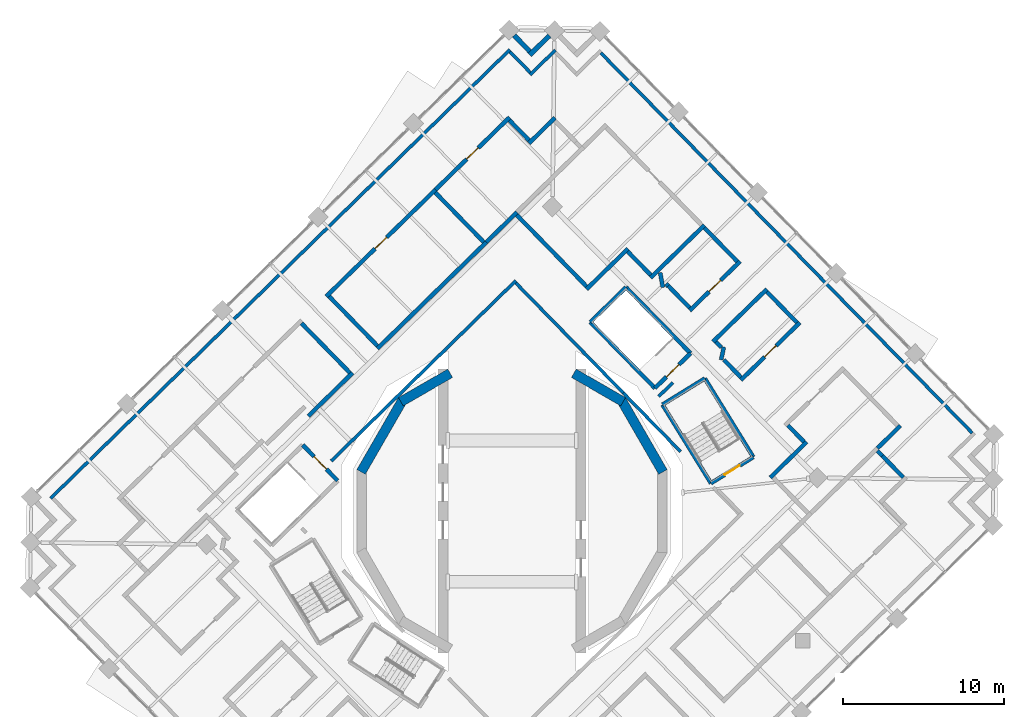
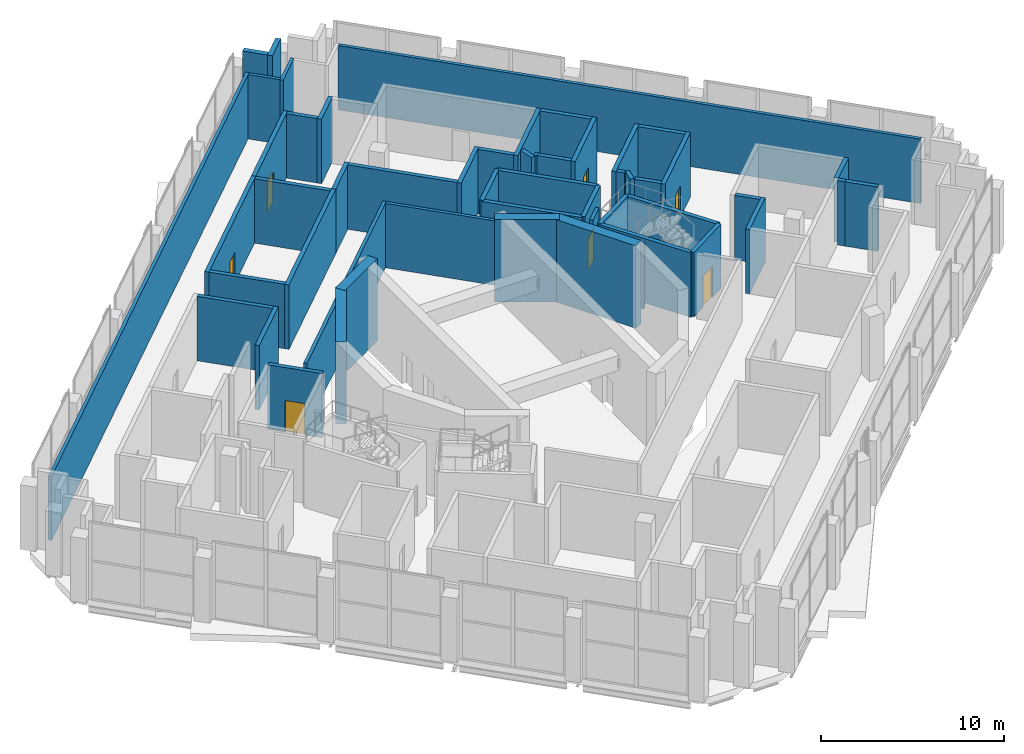
# One storey, part 15 of 20: 53 walls, 7 doors, 7 openings.
"""IFC4 building model written with IfcOpenShell, lengths in metres."""

from ifc_helpers import new_model, si_unit, direction, frame, frame_2d, origin, place, context, subcontext, project, spatial, rectangle, extrude, material, layer, layer_set, type_object, element, fill, save


model = new_model("IFC4")

# Units and contexts
model_context = context("Model", 3, precision=1e-05, world=origin(), true_north=direction((0.0, 1.0)))
body_context = subcontext(model_context, "Body", "Model", "MODEL_VIEW")
ifc_project = project(units=[si_unit("LENGTHUNIT", "METRE"), si_unit("AREAUNIT", "SQUARE_METRE"), si_unit("VOLUMEUNIT", "CUBIC_METRE"), si_unit("PLANEANGLEUNIT", "RADIAN"), si_unit("MASSUNIT", "GRAM", prefix="KILO")], contexts=[model_context])

# Site, building, storey
site_placement = place(None, origin())
site = spatial("IfcSite", under=ifc_project, at=site_placement, CompositionType="ELEMENT")
building_placement = place(site_placement, origin())
building = spatial("IfcBuilding", under=site, at=building_placement, Name="Cantera Rosa Tower", CompositionType="ELEMENT")
storey_placement = place(building_placement, frame((0.0, 0.0, 245.0)))
storey = spatial("IfcBuildingStorey", under=building, at=storey_placement, Name="L54", CompositionType="ELEMENT", Elevation=245.0)

# Walls
ifc_material_1 = material(Name="Masonry blockwork", Category="masonry")
ifc_layer_1 = layer(ifc_material_1, 0.199951171875)
ifc_layer_set_1 = layer_set([ifc_layer_1], Name="Blockwork partition 200")
wall_type_1 = type_object("IfcWallType", Name="Blockwork partition 200", PredefinedType="PARTITIONING", material=ifc_layer_set_1)
wall_1_placement = place(storey_placement, frame((10.5048828125, 3.70068359375, 0.0), z_axis=(0.0, 0.0, 1.0), x_axis=(-0.698855318044, 0.715263059609, 0.0)))
element("IfcWall", 1, at=wall_1_placement, inside=storey, type_object=wall_type_1, Name="Partition L54-2", PredefinedType="PARTITIONING", context=body_context, shape_type="SweptSolid", body=[
    extrude(rectangle(XDim=5.11865234375, YDim=0.199951171875, at=frame_2d((2.559326171875, 0.0))), origin(), (0.0, 0.0, 1.0), 4.300048828125),
])
wall_2_placement = place(storey_placement, frame((6.927734375, 7.36181640625, 0.0), z_axis=(0.0, 0.0, 1.0), x_axis=(-0.698823572323, 0.715294075724, 0.0)))
element("IfcWall", 2, at=wall_2_placement, inside=storey, type_object=wall_type_1, Name="Partition L54-3", PredefinedType="PARTITIONING", context=body_context, shape_type="SweptSolid", body=[
    extrude(rectangle(XDim=9.57568359375, YDim=0.199951171875, at=frame_2d((4.787841796875, 0.0))), origin(), (0.0, 0.0, 1.0), 4.300048828125),
])
wall_3_placement = place(storey_placement, frame((-11.25341796875, 3.12548828125, 0.0), z_axis=(0.0, 0.0, 1.0), x_axis=(0.715280424159, 0.698837545368, 0.0)))
element("IfcWall", 3, at=wall_3_placement, inside=storey, type_object=wall_type_1, Name="Partition L54-4", PredefinedType="PARTITIONING", context=body_context, shape_type="SweptSolid", body=[
    extrude(rectangle(XDim=16.0654296875, YDim=0.199951171875, at=frame_2d((8.03271484375, 0.0))), origin(), (0.0, 0.0, 1.0), 4.300048828125),
])
wall_4_placement = place(storey_placement, frame((1.12939453125, 27.177001953125, 0.0), z_axis=(0.0, 0.0, 1.0), x_axis=(0.715325866743, 0.698791030543, 0.0)))
element("IfcWall", 4, at=wall_4_placement, inside=storey, type_object=wall_type_1, Name="Partition L54-113", PredefinedType="PARTITIONING", context=body_context, shape_type="SweptSolid", body=[
    extrude(rectangle(XDim=2.199951171875, YDim=0.199951171875, at=frame_2d((1.10009765625, 0.0))), origin(), (0.0, 0.0, 1.0), 4.300048828125),
])
wall_5_placement = place(storey_placement, frame((-28.736572265625, 0.7939453125, 0.0), z_axis=(0.0, 0.0, 1.0), x_axis=(0.715286420058, 0.698831408338, 0.0)))
element("IfcWall", 5, at=wall_5_placement, inside=storey, type_object=wall_type_1, Name="Partition L54-114", PredefinedType="PARTITIONING", context=body_context, shape_type="SweptSolid", body=[
    extrude(rectangle(XDim=40.000244140625, YDim=0.199951171875, at=frame_2d((20.0, 0.0))), origin(), (0.0, 0.0, 1.0), 4.300048828125),
])
wall_6_placement = place(storey_placement, frame((1.131103515625, 27.318359375, 0.0), z_axis=(0.0, 0.0, 1.0), x_axis=(-0.698784721194, 0.715332030197, 0.0)))
element("IfcWall", 6, at=wall_6_placement, inside=storey, type_object=wall_type_1, Name="Partition L54-116", PredefinedType="PARTITIONING", context=body_context, shape_type="SweptSolid", body=[
    extrude(rectangle(XDim=1.800048828125, YDim=0.199951171875, at=frame_2d((0.89990234375, 0.0))), origin(), (0.0, 0.0, 1.0), 4.300048828125),
])
wall_7_placement = place(storey_placement, frame((28.660888671875, 4.864013671875, 0.0), z_axis=(0.0, 0.0, 1.0), x_axis=(-0.698827390134, 0.715290345802, 0.0)))
element("IfcWall", 7, at=wall_7_placement, inside=storey, type_object=wall_type_1, Name="Partition L54-119", PredefinedType="PARTITIONING", context=body_context, shape_type="SweptSolid", body=[
    extrude(rectangle(XDim=33.099853515625, YDim=0.199951171875, at=frame_2d((16.5498046875, 0.0))), origin(), (0.0, 0.0, 1.0), 4.300048828125),
])
wall_8_placement = place(storey_placement, frame((9.55419921875, 13.995849609375, 0.0), z_axis=(0.0, 0.0, 1.0), x_axis=(0.715056003015, 0.699067173133, 0.0)))
element("IfcWall", 8, at=wall_8_placement, inside=storey, type_object=wall_type_1, Name="Partition L54-120", PredefinedType="PARTITIONING", context=body_context, shape_type="SweptSolid", body=[
    extrude(rectangle(XDim=0.27490234375, YDim=0.199951171875, at=frame_2d((0.137451171875, 0.0))), origin(), (0.0, 0.0, 1.0), 4.300048828125),
])
wall_9_placement = place(storey_placement, frame((9.1337890625, 7.140380859375, 0.0), z_axis=(0.0, 0.0, 1.0), x_axis=(0.715234194944, 0.698884859174, 0.0)))
element("IfcWall", 9, at=wall_9_placement, inside=storey, type_object=wall_type_1, Name="Partition L54-122", PredefinedType="PARTITIONING", context=body_context, shape_type="SweptSolid", body=[
    extrude(rectangle(XDim=1.239501953125, YDim=0.199951171875, at=frame_2d((0.61962890625, 0.0))), origin(), (0.0, 0.0, 1.0), 4.300048828125),
])
ifc_material_2 = material(Name="Hollow clay masonry with cantera stone cladding", Category="masonry")
ifc_layer_2 = layer(ifc_material_2, 0.300048828125)
ifc_layer_set_2 = layer_set([ifc_layer_2], Name="EW-LOGGIA 300")
wall_type_2 = type_object("IfcWallType", Name="EW-LOGGIA 300", PredefinedType="SOLIDWALL", material=ifc_layer_set_2)
wall_10_placement = place(storey_placement, frame((2.324462890625, 29.602783203125, 0.0), z_axis=(0.0, 0.0, 1.0), x_axis=(-0.715316077832, -0.69880105094, 0.0)))
element("IfcWall", 10, at=wall_10_placement, inside=storey, type_object=wall_type_2, Name="EN-L54-W06a", PredefinedType="SOLIDWALL", context=body_context, shape_type="SweptSolid", body=[
    extrude(rectangle(XDim=1.699951171875, YDim=0.300048828125, at=frame_2d((0.85009765625, 0.0))), origin(), (0.0, 0.0, 1.0), 5.199951171875),
])
wall_11_placement = place(storey_placement, frame((1.111083984375, 28.626953125, 0.0), z_axis=(0.0, 0.0, 1.0), x_axis=(-0.698951192766, 0.71516937164, 0.0)))
element("IfcWall", 11, at=wall_11_placement, inside=storey, type_object=wall_type_2, Name="EN-L54-W06b", PredefinedType="SOLIDWALL", context=body_context, shape_type="SweptSolid", body=[
    extrude(rectangle(XDim=1.39990234375, YDim=0.300048828125, at=frame_2d((0.699951171875, 0.0))), origin(), (0.0, 0.0, 1.0), 5.199951171875),
])
ifc_material_3 = material(Name="Masonry blockwork", Category="masonry")
ifc_layer_3 = layer(ifc_material_3, 0.25)
ifc_layer_set_3 = layer_set([ifc_layer_3], Name="Fire-rated wall 250")
wall_type_3 = type_object("IfcWallType", Name="Fire-rated wall 250", PredefinedType="PARTITIONING", material=ifc_layer_set_3)
wall_12_placement = place(storey_placement, frame((1.062255859375, 22.9169921875, 0.0), z_axis=(0.0, 0.0, 1.0), x_axis=(0.715247572384, 0.698871168528, 0.0)))
element("IfcWall", 12, at=wall_12_placement, inside=storey, type_object=wall_type_3, Name="Fire wall L54-16", PredefinedType="PARTITIONING", context=body_context, shape_type="SweptSolid", body=[
    extrude(rectangle(XDim=2.251220703125, YDim=0.25, at=frame_2d((1.12548828125, 0.0))), origin(), (0.0, 0.0, 1.0), 4.300048828125),
])

# Wall, opening, door
wall_13_placement = place(storey_placement, frame((-11.5654296875, 13.3759765625, 0.0), z_axis=(0.0, 0.0, 1.0), x_axis=(0.715282665967, 0.698835250805, 0.0)))
wall_13 = element("IfcWall", 13, at=wall_13_placement, inside=storey, type_object=wall_type_3, Name="Fire wall L54-21", PredefinedType="PARTITIONING", context=body_context, shape_type="SweptSolid", body=[
    extrude(rectangle(XDim=9.5, YDim=0.25, at=frame_2d((4.75, 0.0))), origin(), (0.0, 0.0, 1.0), 4.300048828125),
])
opening_1_placement = place(wall_13_placement, frame((4.25, 0.0, 0.0)))
opening_1 = element("IfcOpeningElement", 14, at=opening_1_placement, cuts=wall_13, Name="Opening L54-003", PredefinedType="OPENING", context=body_context, shape_type="SweptSolid", body=[
    extrude(rectangle(XDim=1.0, YDim=2.10009765625, at=frame_2d((0.5, 1.050048828125))), frame((0.0, 0.135009765625, 0.0), z_axis=(0.0, -1.0, 0.0), x_axis=(1.0, 0.0, 0.0)), (0.0, 0.0, 1.0), 0.27001953125),
])
ifc_material_4 = material(Name="Steel S355J2 (EN 10025-2)", Category="steel")
door_type_1 = type_object("IfcDoorType", Name="Fire door 1000x2100", OperationType="NOTDEFINED", PredefinedType="DOOR", material=ifc_material_4)
door_1_placement = place(opening_1_placement, origin())
door_1 = element("IfcDoor", 15, at=door_1_placement, inside=storey, type_object=door_type_1, Name="Door L54-003", OverallHeight=2.10009765625, OverallWidth=1.0, PredefinedType="DOOR", context=body_context, shape_type="SweptSolid", body=[
    extrude(rectangle(XDim=1.0, YDim=2.10009765625, at=frame_2d((0.5, 1.050048828125))), frame((0.0, 0.02490234375, 0.0), z_axis=(0.0, -1.0, 0.0), x_axis=(1.0, 0.0, 0.0)), (0.0, 0.0, 1.0), 0.050048828125),
])
fill(opening_1, door_1)

wall_14_placement = place(storey_placement, frame((-4.770263671875, 20.014892578125, 0.0), z_axis=(0.0, 0.0, 1.0), x_axis=(0.715291254759, 0.698826459764, 0.0)))
wall_14 = element("IfcWall", 16, at=wall_14_placement, inside=storey, type_object=wall_type_3, Name="Fire wall L54-22", PredefinedType="PARTITIONING", context=body_context, shape_type="SweptSolid", body=[
    extrude(rectangle(XDim=6.4501953125, YDim=0.25, at=frame_2d((3.22509765625, 0.0))), origin(), (0.0, 0.0, 1.0), 4.300048828125),
])
opening_2_placement = place(wall_14_placement, frame((2.72509765625, 0.0, 0.0)))
opening_2 = element("IfcOpeningElement", 17, at=opening_2_placement, cuts=wall_14, Name="Opening L54-004", PredefinedType="OPENING", context=body_context, shape_type="SweptSolid", body=[
    extrude(rectangle(XDim=1.0, YDim=2.10009765625, at=frame_2d((0.5, 1.050048828125))), frame((0.0, 0.135009765625, 0.0), z_axis=(0.0, -1.0, 0.0), x_axis=(1.0, 0.0, 0.0)), (0.0, 0.0, 1.0), 0.27001953125),
])
door_2_placement = place(opening_2_placement, origin())
door_2 = element("IfcDoor", 18, at=door_2_placement, inside=storey, type_object=door_type_1, Name="Door L54-004", OverallHeight=2.10009765625, OverallWidth=1.0, PredefinedType="DOOR", context=body_context, shape_type="SweptSolid", body=[
    extrude(rectangle(XDim=1.0, YDim=2.10009765625, at=frame_2d((0.5, 1.050048828125))), frame((0.0, 0.02490234375, 0.0), z_axis=(0.0, -1.0, 0.0), x_axis=(1.0, 0.0, 0.0)), (0.0, 0.0, 1.0), 0.050048828125),
])
fill(opening_2, door_2)

# Walls
wall_15_placement = place(storey_placement, frame((-12.68115234375, 5.9248046875, 0.0), z_axis=(0.0, 0.0, 1.0), x_axis=(0.715291514395, 0.69882619401, 0.0)))
element("IfcWall", 19, at=wall_15_placement, inside=storey, type_object=wall_type_3, Name="Fire wall L54-30", PredefinedType="PARTITIONING", context=body_context, shape_type="SweptSolid", body=[
    extrude(rectangle(XDim=3.855224609375, YDim=0.25, at=frame_2d((1.927734375, 0.0))), origin(), (0.0, 0.0, 1.0), 4.300048828125),
])
wall_16_placement = place(storey_placement, frame((-8.3857421875, 10.12158203125, 0.0), z_axis=(0.0, 0.0, 1.0), x_axis=(0.715282665967, 0.698835250805, 0.0)))
element("IfcWall", 20, at=wall_16_placement, inside=storey, type_object=wall_type_3, Name="Fire wall L54-31", PredefinedType="PARTITIONING", context=body_context, shape_type="SweptSolid", body=[
    extrude(rectangle(XDim=9.5, YDim=0.25, at=frame_2d((4.75, 0.0))), origin(), (0.0, 0.0, 1.0), 4.300048828125),
])
wall_17_placement = place(storey_placement, frame((-1.590576171875, 16.760498046875, 0.0), z_axis=(0.0, 0.0, 1.0), x_axis=(0.715304418889, 0.698812985224, 0.0)))
element("IfcWall", 21, at=wall_17_placement, inside=storey, type_object=wall_type_3, Name="Fire wall L54-32", PredefinedType="PARTITIONING", context=body_context, shape_type="SweptSolid", body=[
    extrude(rectangle(XDim=2.64990234375, YDim=0.25, at=frame_2d((1.324951171875, 0.0))), origin(), (0.0, 0.0, 1.0), 4.300048828125),
])
wall_18_placement = place(storey_placement, frame((-10.100341796875, 8.62109375, 0.0), z_axis=(0.0, 0.0, 1.0), x_axis=(-0.698855062366, 0.715263309422, 0.0)))
element("IfcWall", 22, at=wall_18_placement, inside=storey, type_object=wall_type_3, Name="Fire wall L54-37", PredefinedType="PARTITIONING", context=body_context, shape_type="SweptSolid", body=[
    extrude(rectangle(XDim=4.300048828125, YDim=0.25, at=frame_2d((2.14990234375, 0.0))), origin(), (0.0, 0.0, 1.0), 4.300048828125),
])
for number, where, z_axis, x_axis, name in (
    (23, (-1.767333984375, 16.762451171875, 0.0), (0.0, 0.0, 1.0), (-0.698826013974, 0.715291690287, 0.0), "Fire wall L54-39"),
    (24, (-8.3837890625, 10.29833984375, 0.0), (0.0, 0.0, 1.0), (-0.698826013974, 0.715291690287, 0.0), "Fire wall L54-41"),
):
    element("IfcWall", number, at=place(storey_placement, frame(where, z_axis=z_axis, x_axis=x_axis)), inside=storey, type_object=wall_type_3, Name=name, PredefinedType="PARTITIONING", context=body_context, shape_type="SweptSolid", body=[
        extrude(rectangle(XDim=4.2998046875, YDim=0.25, at=frame_2d((2.14990234375, 0.0))), origin(), (0.0, 0.0, 1.0), 4.300048828125),
    ])
wall_19_placement = place(storey_placement, frame((1.064208984375, 23.093994140625, 0.0), z_axis=(0.0, 0.0, 1.0), x_axis=(-0.698827521153, 0.715290217799, 0.0)))
element("IfcWall", 25, at=wall_19_placement, inside=storey, type_object=wall_type_3, Name="Fire wall L54-43", PredefinedType="PARTITIONING", context=body_context, shape_type="SweptSolid", body=[
    extrude(rectangle(XDim=1.75, YDim=0.25, at=frame_2d((0.875, 0.0))), origin(), (0.0, 0.0, 1.0), 4.300048828125),
])
wall_20_placement = place(storey_placement, frame((24.368896484375, 2.103759765625, 0.0), z_axis=(0.0, 0.0, 1.0), x_axis=(-0.698790658464, 0.715326230222, 0.0)))
element("IfcWall", 26, at=wall_20_placement, inside=storey, type_object=wall_type_3, Name="Fire wall L54-44", PredefinedType="PARTITIONING", context=body_context, shape_type="SweptSolid", body=[
    extrude(rectangle(XDim=1.875, YDim=0.25, at=frame_2d((0.9375, 0.0))), origin(), (0.0, 0.0, 1.0), 4.300048828125),
])
wall_21_placement = place(storey_placement, frame((23.05859375, 3.445068359375, 0.0), z_axis=(0.0, 0.0, 1.0), x_axis=(-0.698725846342, 0.715389538401, 0.0)))
element("IfcWall", 27, at=wall_21_placement, inside=storey, type_object=wall_type_3, Name="Fire wall L54-45", PredefinedType="PARTITIONING", context=body_context, shape_type="SweptSolid", body=[
    extrude(rectangle(XDim=0.4248046875, YDim=0.25, at=frame_2d((0.21240234375, 0.0))), origin(), (0.0, 0.0, 1.0), 4.300048828125),
])
wall_22_placement = place(storey_placement, frame((16.090087890625, 2.097900390625, 0.0), z_axis=(0.0, 0.0, 1.0), x_axis=(0.715254512946, 0.698864065259, 0.0)))
element("IfcWall", 28, at=wall_22_placement, inside=storey, type_object=wall_type_3, Name="Fire wall L54-48", PredefinedType="PARTITIONING", context=body_context, shape_type="SweptSolid", body=[
    extrude(rectangle(XDim=3.172607421875, YDim=0.25, at=frame_2d((1.58642578125, 0.0))), origin(), (0.0, 0.0, 1.0), 4.300048828125),
])
wall_23_placement = place(storey_placement, frame((18.1826171875, 4.317138671875, 0.0), z_axis=(0.0, 0.0, 1.0), x_axis=(-0.698849436333, 0.71526880635, 0.0)))
element("IfcWall", 29, at=wall_23_placement, inside=storey, type_object=wall_type_3, Name="Fire wall L54-49", PredefinedType="PARTITIONING", context=body_context, shape_type="SweptSolid", body=[
    extrude(rectangle(XDim=1.427490234375, YDim=0.25, at=frame_2d((0.7138671875, 0.0))), origin(), (0.0, 0.0, 1.0), 4.300048828125),
])
wall_24_placement = place(storey_placement, frame((14.256591796875, 8.33544921875, 0.0), z_axis=(0.0, 0.0, 1.0), x_axis=(-0.698731827459, 0.715383696554, 0.0)))
element("IfcWall", 30, at=wall_24_placement, inside=storey, type_object=wall_type_3, Name="Fire wall L54-50", PredefinedType="PARTITIONING", context=body_context, shape_type="SweptSolid", body=[
    extrude(rectangle(XDim=1.510009765625, YDim=0.25, at=frame_2d((0.7548828125, 0.0))), origin(), (0.0, 0.0, 1.0), 4.300048828125),
])
wall_25_placement = place(storey_placement, frame((17.745361328125, 11.743896484375, 0.0), z_axis=(0.0, 0.0, 1.0), x_axis=(-0.698847025212, 0.715271162115, 0.0)))
element("IfcWall", 31, at=wall_25_placement, inside=storey, type_object=wall_type_3, Name="Fire wall L54-53", PredefinedType="PARTITIONING", context=body_context, shape_type="SweptSolid", body=[
    extrude(rectangle(XDim=2.675537109375, YDim=0.25, at=frame_2d((1.337890625, 0.0))), origin(), (0.0, 0.0, 1.0), 4.300048828125),
])
wall_26_placement = place(storey_placement, frame((14.0234375, 15.55322265625, 0.0), z_axis=(0.0, 0.0, 1.0), x_axis=(-0.698814231837, 0.715303201015, 0.0)))
element("IfcWall", 32, at=wall_26_placement, inside=storey, type_object=wall_type_3, Name="Fire wall L54-54", PredefinedType="PARTITIONING", context=body_context, shape_type="SweptSolid", body=[
    extrude(rectangle(XDim=2.916748046875, YDim=0.25, at=frame_2d((1.45849609375, 0.0))), origin(), (0.0, 0.0, 1.0), 4.300048828125),
])
wall_27_placement = place(storey_placement, frame((22.763671875, 3.92578125, 0.0), z_axis=(0.0, 0.0, 1.0), x_axis=(0.715302350953, 0.698815101955, 0.0)))
element("IfcWall", 33, at=wall_27_placement, inside=storey, type_object=wall_type_3, Name="Fire wall L54-63", PredefinedType="PARTITIONING", context=body_context, shape_type="SweptSolid", body=[
    extrude(rectangle(XDim=1.9990234375, YDim=0.25, at=frame_2d((0.99951171875, 0.0))), origin(), (0.0, 0.0, 1.0), 4.300048828125),
])
wall_28_placement = place(storey_placement, frame((4.6396484375, 13.996826171875, 0.0), z_axis=(0.0, 0.0, 1.0), x_axis=(-0.69883644118, 0.715281502961, 0.0)))
element("IfcWall", 34, at=wall_28_placement, inside=storey, type_object=wall_type_3, Name="Fire wall L54-65", PredefinedType="PARTITIONING", context=body_context, shape_type="SweptSolid", body=[
    extrude(rectangle(XDim=6.20556640625, YDim=0.25, at=frame_2d((3.102783203125, 0.0))), origin(), (0.0, 0.0, 1.0), 4.300048828125),
])
wall_29_placement = place(storey_placement, frame((13.024658203125, 9.417724609375, 0.0), z_axis=(0.0, 0.0, 1.0), x_axis=(0.202105083768, 0.97936384205, 0.0)))
element("IfcWall", 35, at=wall_29_placement, inside=storey, type_object=wall_type_3, Name="Fire wall L54-66", PredefinedType="PARTITIONING", context=body_context, shape_type="SweptSolid", body=[
    extrude(rectangle(XDim=0.82275390625, YDim=0.25, at=frame_2d((0.411376953125, 0.0))), origin(), (0.0, 0.0, 1.0), 4.300048828125),
])
wall_30_placement = place(storey_placement, frame((13.0419921875, 10.19677734375, 0.0), z_axis=(0.0, 0.0, 1.0), x_axis=(-0.698680880291, 0.715433454289, 0.0)))
element("IfcWall", 36, at=wall_30_placement, inside=storey, type_object=wall_type_3, Name="Fire wall L54-67", PredefinedType="PARTITIONING", context=body_context, shape_type="SweptSolid", body=[
    extrude(rectangle(XDim=0.49560546875, YDim=0.25, at=frame_2d((0.247802734375, 0.0))), origin(), (0.0, 0.0, 1.0), 4.300048828125),
])
wall_31_placement = place(storey_placement, frame((9.394287109375, 13.930419921875, 0.0), z_axis=(0.0, 0.0, 1.0), x_axis=(-0.179137841965, 0.983823985058, 0.0)))
element("IfcWall", 37, at=wall_31_placement, inside=storey, type_object=wall_type_3, Name="Fire wall L54-68", PredefinedType="PARTITIONING", context=body_context, shape_type="SweptSolid", body=[
    extrude(rectangle(XDim=0.936279296875, YDim=0.25, at=frame_2d((0.46826171875, 0.0))), origin(), (0.0, 0.0, 1.0), 4.300048828125),
])
wall_32_placement = place(storey_placement, frame((8.630859375, 14.7119140625, 0.0), z_axis=(0.0, 0.0, 1.0), x_axis=(-0.698811168183, 0.715306194034, 0.0)))
element("IfcWall", 38, at=wall_32_placement, inside=storey, type_object=wall_type_3, Name="Fire wall L54-69", PredefinedType="PARTITIONING", context=body_context, shape_type="SweptSolid", body=[
    extrude(rectangle(XDim=2.02783203125, YDim=0.25, at=frame_2d((1.013916015625, 0.0))), origin(), (0.0, 0.0, 1.0), 4.300048828125),
])
wall_33_placement = place(storey_placement, frame((12.51904296875, 10.553466796875, 0.0), z_axis=(0.0, 0.0, 1.0), x_axis=(0.715274623677, 0.698843482279, 0.0)))
element("IfcWall", 39, at=wall_33_placement, inside=storey, type_object=wall_type_3, Name="Fire wall L54-71", PredefinedType="PARTITIONING", context=body_context, shape_type="SweptSolid", body=[
    extrude(rectangle(XDim=4.6953125, YDim=0.25, at=frame_2d((2.34765625, 0.0))), origin(), (0.0, 0.0, 1.0), 4.300048828125),
])

# Wall, opening, door
wall_34_placement = place(storey_placement, frame((14.254638671875, 8.15869140625, 0.0), z_axis=(0.0, 0.0, 1.0), x_axis=(0.715296466509, 0.698821125182, 0.0)))
wall_34 = element("IfcWall", 40, at=wall_34_placement, inside=storey, type_object=wall_type_3, Name="Fire wall L54-72", PredefinedType="PARTITIONING", context=body_context, shape_type="SweptSolid", body=[
    extrude(rectangle(XDim=5.127197265625, YDim=0.25, at=frame_2d((2.5634765625, 0.0))), origin(), (0.0, 0.0, 1.0), 4.300048828125),
])
opening_3_placement = place(wall_34_placement, frame((2.063720703125, 0.0, 0.0)))
opening_3 = element("IfcOpeningElement", 41, at=opening_3_placement, cuts=wall_34, Name="Opening L54-006", PredefinedType="OPENING", context=body_context, shape_type="SweptSolid", body=[
    extrude(rectangle(XDim=1.0, YDim=2.10009765625, at=frame_2d((0.5, 1.050048828125))), frame((0.0, 0.135009765625, 0.0), z_axis=(0.0, -1.0, 0.0), x_axis=(1.0, 0.0, 0.0)), (0.0, 0.0, 1.0), 0.27001953125),
])
door_3_placement = place(opening_3_placement, origin())
door_3 = element("IfcDoor", 42, at=door_3_placement, inside=storey, type_object=door_type_1, Name="Door L54-006", OverallHeight=2.10009765625, OverallWidth=1.0, PredefinedType="DOOR", context=body_context, shape_type="SweptSolid", body=[
    extrude(rectangle(XDim=1.0, YDim=2.10009765625, at=frame_2d((0.5, 1.050048828125))), frame((0.0, 0.02490234375, 0.0), z_axis=(0.0, -1.0, 0.0), x_axis=(1.0, 0.0, 0.0)), (0.0, 0.0, 1.0), 0.050048828125),
])
fill(opening_3, door_3)

# Wall
wall_35_placement = place(storey_placement, frame((8.62890625, 14.53515625, 0.0), z_axis=(0.0, 0.0, 1.0), x_axis=(0.715274623677, 0.698843482279, 0.0)))
element("IfcWall", 43, at=wall_35_placement, inside=storey, type_object=wall_type_3, Name="Fire wall L54-73", PredefinedType="PARTITIONING", context=body_context, shape_type="SweptSolid", body=[
    extrude(rectangle(XDim=4.6953125, YDim=0.25, at=frame_2d((2.34765625, 0.0))), origin(), (0.0, 0.0, 1.0), 4.300048828125),
])

# Wall, opening, door
wall_36_placement = place(storey_placement, frame((11.063720703125, 12.48681640625, 0.0), z_axis=(0.0, 0.0, 1.0), x_axis=(0.715271321877, 0.698846861695, 0.0)))
wall_36 = element("IfcWall", 44, at=wall_36_placement, inside=storey, type_object=wall_type_3, Name="Fire wall L54-75", PredefinedType="PARTITIONING", context=body_context, shape_type="SweptSolid", body=[
    extrude(rectangle(XDim=4.385009765625, YDim=0.25, at=frame_2d((2.1923828125, 0.0))), origin(), (0.0, 0.0, 1.0), 4.300048828125),
])
opening_4_placement = place(wall_36_placement, frame((1.692626953125, 0.0, 0.0)))
opening_4 = element("IfcOpeningElement", 45, at=opening_4_placement, cuts=wall_36, Name="Opening L54-007", PredefinedType="OPENING", context=body_context, shape_type="SweptSolid", body=[
    extrude(rectangle(XDim=1.0, YDim=2.10009765625, at=frame_2d((0.5, 1.050048828125))), frame((0.0, 0.135009765625, 0.0), z_axis=(0.0, -1.0, 0.0), x_axis=(1.0, 0.0, 0.0)), (0.0, 0.0, 1.0), 0.27001953125),
])
door_4_placement = place(opening_4_placement, origin())
door_4 = element("IfcDoor", 46, at=door_4_placement, inside=storey, type_object=door_type_1, Name="Door L54-007", OverallHeight=2.10009765625, OverallWidth=1.0, PredefinedType="DOOR", context=body_context, shape_type="SweptSolid", body=[
    extrude(rectangle(XDim=1.0, YDim=2.10009765625, at=frame_2d((0.5, 1.050048828125))), frame((0.0, 0.02490234375, 0.0), z_axis=(0.0, -1.0, 0.0), x_axis=(1.0, 0.0, 0.0)), (0.0, 0.0, 1.0), 0.050048828125),
])
fill(opening_4, door_4)

# Walls
wall_37_placement = place(storey_placement, frame((11.065673828125, 12.66357421875, 0.0), z_axis=(0.0, 0.0, 1.0), x_axis=(-0.698876464777, 0.715242397359, 0.0)))
element("IfcWall", 47, at=wall_37_placement, inside=storey, type_object=wall_type_3, Name="Fire wall L54-76", PredefinedType="PARTITIONING", context=body_context, shape_type="SweptSolid", body=[
    extrude(rectangle(XDim=1.909423828125, YDim=0.25, at=frame_2d((0.95458984375, 0.0))), origin(), (0.0, 0.0, 1.0), 4.300048828125),
])
wall_38_placement = place(storey_placement, frame((4.637451171875, 13.820068359375, 0.0), z_axis=(0.0, 0.0, 1.0), x_axis=(0.715287992463, 0.698829798905, 0.0)))
element("IfcWall", 48, at=wall_38_placement, inside=storey, type_object=wall_type_3, Name="Fire wall L54-77", PredefinedType="PARTITIONING", context=body_context, shape_type="SweptSolid", body=[
    extrude(rectangle(XDim=3.604736328125, YDim=0.25, at=frame_2d((1.80224609375, 0.0))), origin(), (0.0, 0.0, 1.0), 4.300048828125),
])
ifc_material_5 = material(Name="Concrete C50/60", Category="concrete")
ifc_layer_4 = layer(ifc_material_5, 0.60009765625)
ifc_layer_set_4 = layer_set([ifc_layer_4], Name="RC CORE WALL 600 C50/60")
wall_type_4 = type_object("IfcWallType", Name="RC CORE WALL 600 C50/60", PredefinedType="SHEAR", material=ifc_layer_set_4)
wall_39_placement = place(storey_placement, frame((-9.3994140625, 2.438232421875, 0.0), z_axis=(0.0, 0.0, 1.0), x_axis=(0.499989188378, 0.866031645787, 0.0)))
element("IfcWall", 49, at=wall_39_placement, inside=storey, type_object=wall_type_4, Name="CW-W4 L54", PredefinedType="SHEAR", context=body_context, shape_type="SweptSolid", body=[
    extrude(rectangle(XDim=5.17626953125, YDim=0.60009765625, at=frame_2d((2.588134765625, 0.0))), origin(), (0.0, 0.0, 1.0), 5.5),
])
for number, where, z_axis, x_axis, name in (
    (50, (-6.921142578125, 6.811279296875, 0.0), (0.0, 0.0, 1.0), (0.866039982607, 0.499974747889, 0.0), "CW-W5 L54"),
    (51, (3.85009765625, 8.584228515625, 0.0), (0.0, 0.0, 1.0), (0.866039982607, -0.499974747889, 0.0), "CW-E1 L54"),
):
    element("IfcWall", number, at=place(storey_placement, frame(where, z_axis=z_axis, x_axis=x_axis)), inside=storey, type_object=wall_type_4, Name=name, PredefinedType="SHEAR", context=body_context, shape_type="SweptSolid", body=[
        extrude(rectangle(XDim=3.546142578125, YDim=0.60009765625, at=frame_2d((1.77294921875, 0.0))), origin(), (0.0, 0.0, 1.0), 5.5),
    ])
wall_40_placement = place(storey_placement, frame((6.811279296875, 6.921142578125, 0.0), z_axis=(0.0, 0.0, 1.0), x_axis=(0.499989188378, -0.866031645787, 0.0)))
element("IfcWall", 52, at=wall_40_placement, inside=storey, type_object=wall_type_4, Name="CW-E2 L54", PredefinedType="SHEAR", context=body_context, shape_type="SweptSolid", body=[
    extrude(rectangle(XDim=5.17626953125, YDim=0.60009765625, at=frame_2d((2.588134765625, 0.0))), origin(), (0.0, 0.0, 1.0), 5.5),
])

# Wall, opening, door
ifc_material_6 = material(Name="Concrete C50/60", Category="concrete")
ifc_layer_5 = layer(ifc_material_6, 0.25)
ifc_layer_set_5 = layer_set([ifc_layer_5], Name="RC stair wall 250 C50/60")
wall_type_5 = type_object("IfcWallType", Name="RC stair wall 250", PredefinedType="SOLIDWALL", material=ifc_layer_set_5)
wall_41_placement = place(storey_placement, frame((15.028564453125, 3.36669921875, 0.0), z_axis=(0.0, 0.0, 1.0), x_axis=(-0.851111635158, -0.52498474692, 0.0)))
wall_41 = element("IfcWall", 53, at=wall_41_placement, inside=storey, type_object=wall_type_5, Name="STAIR WALL ST-51 L54-11", PredefinedType="SOLIDWALL", context=body_context, shape_type="SweptSolid", body=[
    extrude(rectangle(XDim=3.10009765625, YDim=0.25, at=frame_2d((1.550048828125, 0.0))), origin(), (0.0, 0.0, 1.0), 4.300048828125),
])
opening_5_placement = place(wall_41_placement, frame((1.0, 0.0, 0.0)))
opening_5 = element("IfcOpeningElement", 54, at=opening_5_placement, cuts=wall_41, Name="Opening L54-ST-51", PredefinedType="OPENING", context=body_context, shape_type="SweptSolid", body=[
    extrude(rectangle(XDim=1.10009765625, YDim=2.10009765625, at=frame_2d((0.550048828125, 1.050048828125))), frame((0.0, 0.135009765625, 0.0), z_axis=(0.0, -1.0, 0.0), x_axis=(1.0, 0.0, 0.0)), (0.0, 0.0, 1.0), 0.27001953125),
])
ifc_material_7 = material(Name="Steel S355J2 (EN 10025-2)", Category="steel")
door_type_2 = type_object("IfcDoorType", Name="STAIR DOOR 1100x2100", OperationType="NOTDEFINED", PredefinedType="DOOR", material=ifc_material_7)
door_5_placement = place(opening_5_placement, origin())
door_5 = element("IfcDoor", 55, at=door_5_placement, inside=storey, type_object=door_type_2, Name="DOOR L54-ST-51", OperationType="NOTDEFINED", OverallHeight=2.10009765625, OverallWidth=1.10009765625, PredefinedType="DOOR", context=body_context, shape_type="SweptSolid", body=[
    extrude(rectangle(XDim=1.10009765625, YDim=2.10009765625, at=frame_2d((0.550048828125, 1.050048828125))), frame((0.0, 0.02490234375, 0.0), z_axis=(0.0, -1.0, 0.0), x_axis=(1.0, 0.0, 0.0)), (0.0, 0.0, 1.0), 0.050048828125),
])
fill(opening_5, door_5)

# Walls
wall_42_placement = place(storey_placement, frame((12.39013671875, 1.7392578125, 0.0), z_axis=(0.0, 0.0, 1.0), x_axis=(-0.524959451453, 0.85112723745, 0.0)))
element("IfcWall", 56, at=wall_42_placement, inside=storey, type_object=wall_type_5, Name="STAIR WALL ST-51 L54-21", PredefinedType="SOLIDWALL", context=body_context, shape_type="SweptSolid", body=[
    extrude(rectangle(XDim=5.75, YDim=0.25, at=frame_2d((2.875, 0.0))), origin(), (0.0, 0.0, 1.0), 4.300048828125),
])
wall_43_placement = place(storey_placement, frame((9.37158203125, 6.63330078125, 0.0), z_axis=(0.0, 0.0, 1.0), x_axis=(0.851111635158, 0.52498474692, 0.0)))
element("IfcWall", 57, at=wall_43_placement, inside=storey, type_object=wall_type_5, Name="STAIR WALL ST-51 L54-31", PredefinedType="SOLIDWALL", context=body_context, shape_type="SweptSolid", body=[
    extrude(rectangle(XDim=3.10009765625, YDim=0.25, at=frame_2d((1.550048828125, 0.0))), origin(), (0.0, 0.0, 1.0), 4.300048828125),
])
wall_44_placement = place(storey_placement, frame((12.010009765625, 8.2607421875, 0.0), z_axis=(0.0, 0.0, 1.0), x_axis=(0.524959451453, -0.85112723745, 0.0)))
element("IfcWall", 58, at=wall_44_placement, inside=storey, type_object=wall_type_5, Name="STAIR WALL ST-51 L54-41", PredefinedType="SOLIDWALL", context=body_context, shape_type="SweptSolid", body=[
    extrude(rectangle(XDim=5.75, YDim=0.25, at=frame_2d((2.875, 0.0))), origin(), (0.0, 0.0, 1.0), 4.300048828125),
])

# Wall, opening, door
wall_45_placement = place(storey_placement, frame((11.117919921875, 9.82666015625, 0.0), z_axis=(0.0, 0.0, 1.0), x_axis=(-0.715327656128, -0.698789198814, 0.0)))
wall_45 = element("IfcWall", 59, at=wall_45_placement, inside=storey, type_object=wall_type_5, Name="STAIR WALL ST-42 L54-11", PredefinedType="SOLIDWALL", context=body_context, shape_type="SweptSolid", body=[
    extrude(rectangle(XDim=3.10009765625, YDim=0.25, at=frame_2d((1.550048828125, 0.0))), origin(), (0.0, 0.0, 1.0), 4.300048828125),
])
opening_6_placement = place(wall_45_placement, frame((1.0, 0.0, 0.0)))
opening_6 = element("IfcOpeningElement", 60, at=opening_6_placement, cuts=wall_45, Name="Opening L54-ST-42", PredefinedType="OPENING", context=body_context, shape_type="SweptSolid", body=[
    extrude(rectangle(XDim=1.10009765625, YDim=2.10009765625, at=frame_2d((0.550048828125, 1.050048828125))), frame((0.0, 0.135009765625, 0.0), z_axis=(0.0, -1.0, 0.0), x_axis=(1.0, 0.0, 0.0)), (0.0, 0.0, 1.0), 0.27001953125),
])
door_6_placement = place(opening_6_placement, origin())
door_6 = element("IfcDoor", 61, at=door_6_placement, inside=storey, type_object=door_type_2, Name="DOOR L54-ST-42", OperationType="NOTDEFINED", OverallHeight=2.10009765625, OverallWidth=1.10009765625, PredefinedType="DOOR", context=body_context, shape_type="SweptSolid", body=[
    extrude(rectangle(XDim=1.10009765625, YDim=2.10009765625, at=frame_2d((0.550048828125, 1.050048828125))), frame((0.0, 0.02490234375, 0.0), z_axis=(0.0, -1.0, 0.0), x_axis=(1.0, 0.0, 0.0)), (0.0, 0.0, 1.0), 0.050048828125),
])
fill(opening_6, door_6)

# Walls
wall_46_placement = place(storey_placement, frame((8.900390625, 7.660400390625, 0.0), z_axis=(0.0, 0.0, 1.0), x_axis=(-0.698843109594, 0.715274987801, 0.0)))
element("IfcWall", 62, at=wall_46_placement, inside=storey, type_object=wall_type_5, Name="STAIR WALL ST-42 L54-21", PredefinedType="SOLIDWALL", context=body_context, shape_type="SweptSolid", body=[
    extrude(rectangle(XDim=5.75, YDim=0.25, at=frame_2d((2.875, 0.0))), origin(), (0.0, 0.0, 1.0), 4.300048828125),
])
wall_47_placement = place(storey_placement, frame((4.882080078125, 11.773193359375, 0.0), z_axis=(0.0, 0.0, 1.0), x_axis=(0.715288290651, 0.698829493695, 0.0)))
element("IfcWall", 63, at=wall_47_placement, inside=storey, type_object=wall_type_5, Name="STAIR WALL ST-42 L54-31", PredefinedType="SOLIDWALL", context=body_context, shape_type="SweptSolid", body=[
    extrude(rectangle(XDim=3.10009765625, YDim=0.25, at=frame_2d((1.550048828125, 0.0))), origin(), (0.0, 0.0, 1.0), 4.300048828125),
])
wall_48_placement = place(storey_placement, frame((7.099609375, 13.939697265625, 0.0), z_axis=(0.0, 0.0, 1.0), x_axis=(0.698821885846, -0.715295723364, 0.0)))
element("IfcWall", 64, at=wall_48_placement, inside=storey, type_object=wall_type_5, Name="STAIR WALL ST-42 L54-41", PredefinedType="SOLIDWALL", context=body_context, shape_type="SweptSolid", body=[
    extrude(rectangle(XDim=5.75, YDim=0.25, at=frame_2d((2.875, 0.0))), origin(), (0.0, 0.0, 1.0), 4.300048828125),
])

# Wall, opening, door
wall_49_placement = place(storey_placement, frame((-13.026611328125, 4.117919921875, 0.0), z_axis=(0.0, 0.0, 1.0), x_axis=(0.698789198814, -0.715327656128, 0.0)))
wall_49 = element("IfcWall", 65, at=wall_49_placement, inside=storey, type_object=wall_type_5, Name="STAIR WALL ST-43 L54-11", PredefinedType="SOLIDWALL", context=body_context, shape_type="SweptSolid", body=[
    extrude(rectangle(XDim=3.10009765625, YDim=0.25, at=frame_2d((1.550048828125, 0.0))), origin(), (0.0, 0.0, 1.0), 4.300048828125),
])
opening_7_placement = place(wall_49_placement, frame((1.0, 0.0, 0.0)))
opening_7 = element("IfcOpeningElement", 66, at=opening_7_placement, cuts=wall_49, Name="Opening L54-ST-43", PredefinedType="OPENING", context=body_context, shape_type="SweptSolid", body=[
    extrude(rectangle(XDim=1.10009765625, YDim=2.10009765625, at=frame_2d((0.550048828125, 1.050048828125))), frame((0.0, 0.135009765625, 0.0), z_axis=(0.0, -1.0, 0.0), x_axis=(1.0, 0.0, 0.0)), (0.0, 0.0, 1.0), 0.27001953125),
])
door_7_placement = place(opening_7_placement, origin())
door_7 = element("IfcDoor", 67, at=door_7_placement, inside=storey, type_object=door_type_2, Name="DOOR L54-ST-43", OperationType="NOTDEFINED", OverallHeight=2.10009765625, OverallWidth=1.10009765625, PredefinedType="DOOR", context=body_context, shape_type="SweptSolid", body=[
    extrude(rectangle(XDim=1.10009765625, YDim=2.10009765625, at=frame_2d((0.550048828125, 1.050048828125))), frame((0.0, 0.02490234375, 0.0), z_axis=(0.0, -1.0, 0.0), x_axis=(1.0, 0.0, 0.0)), (0.0, 0.0, 1.0), 0.050048828125),
])
fill(opening_7, door_7)

save(model, "model.ifc")
